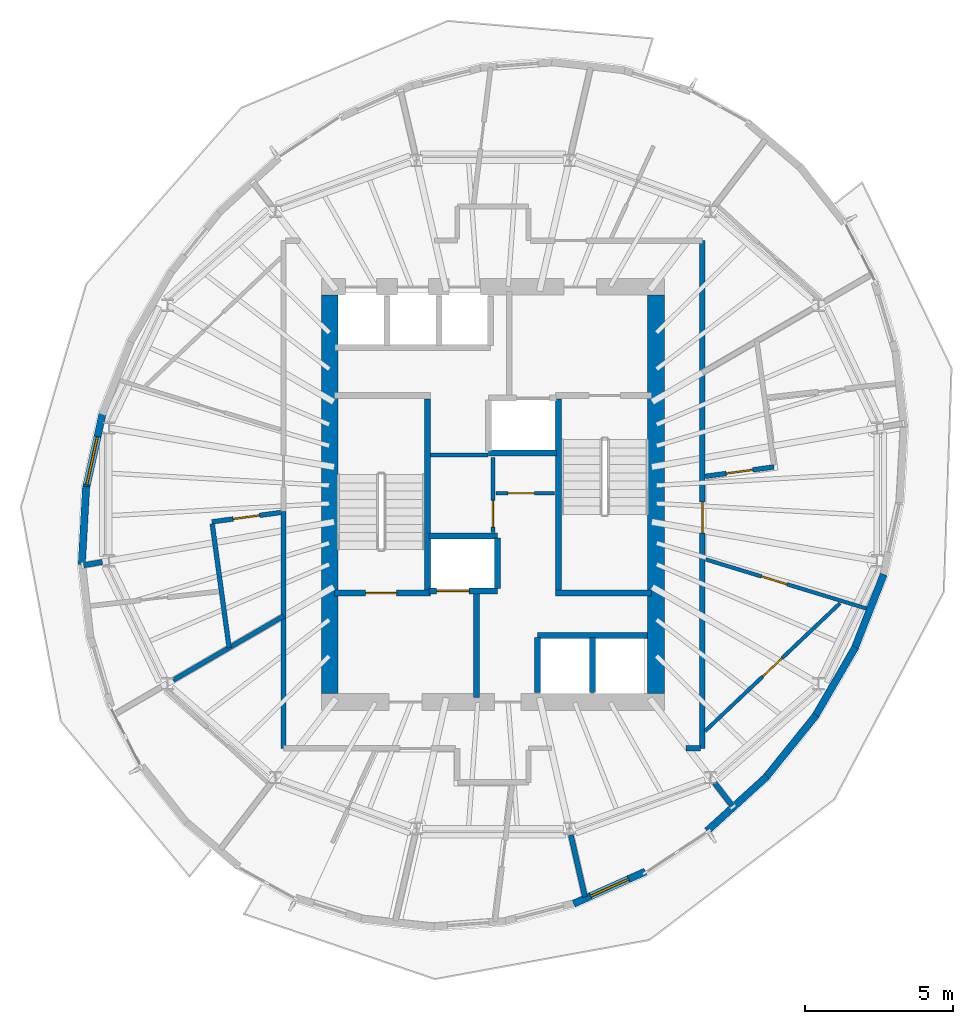
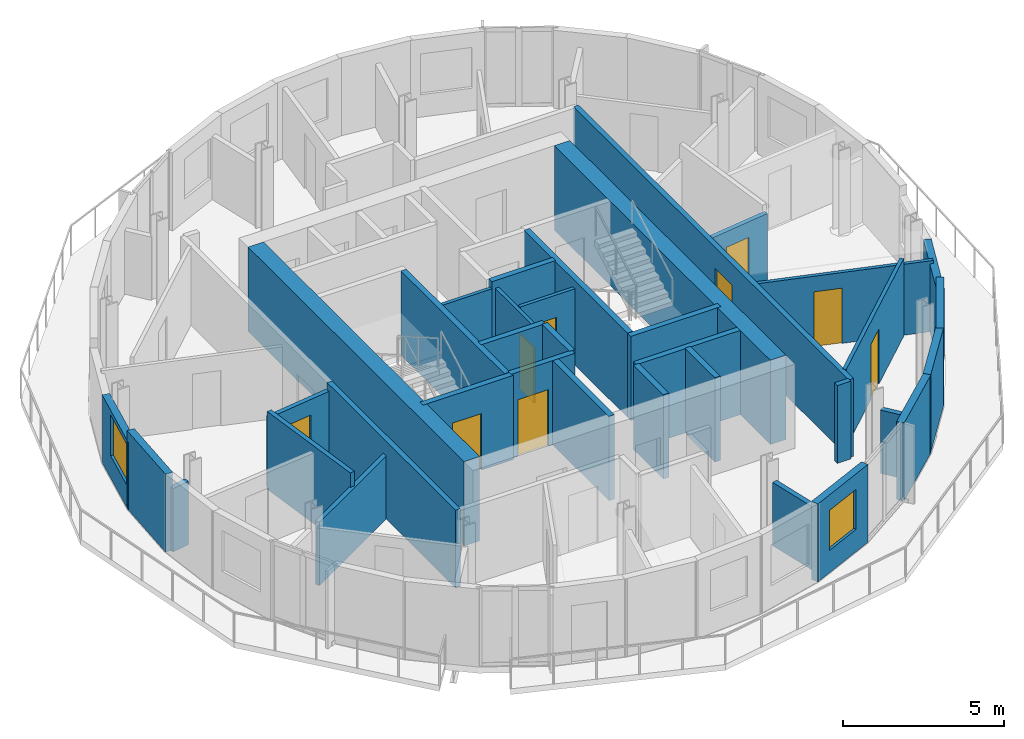
# One storey, part 5 of 11: 36 walls, 9 doors, 2 windows, 11 openings.
"""IFC4 building model written with IfcOpenShell, lengths in metres."""

from ifc_helpers import new_model, si_unit, direction, frame, frame_2d, origin, place, context, subcontext, project, spatial, rectangle, extrude, material, layer, layer_set, type_object, element, fill, save


model = new_model("IFC4")

# Units and contexts
model_context = context("Model", 3, precision=1e-05, world=origin(), true_north=direction((0.0, 1.0)))
body_context = subcontext(model_context, "Body", "Model", "MODEL_VIEW")
ifc_project = project(units=[si_unit("LENGTHUNIT", "METRE"), si_unit("AREAUNIT", "SQUARE_METRE"), si_unit("VOLUMEUNIT", "CUBIC_METRE"), si_unit("PLANEANGLEUNIT", "RADIAN"), si_unit("MASSUNIT", "GRAM", prefix="KILO")], contexts=[model_context])

# Site, building, storey
site_placement = place(None, origin())
site = spatial("IfcSite", under=ifc_project, at=site_placement, CompositionType="ELEMENT")
building_placement = place(site_placement, origin())
building = spatial("IfcBuilding", under=site, at=building_placement, Name="Veldorim Arch Residences", CompositionType="ELEMENT")
storey_placement = place(building_placement, frame((0.0, 0.0, 220.639892578125)))
storey = spatial("IfcBuildingStorey", under=building, at=storey_placement, Name="L66", CompositionType="ELEMENT", Elevation=220.639892578125)

# Wall, opening, door
ifc_material_1 = material(Name="Acoustic Gypsum Board", Category="gypsum")
ifc_layer_1 = layer(ifc_material_1, 0.125, Name="Acoustic Stud Room Partition Wall 125")
ifc_layer_set_1 = layer_set([ifc_layer_1], Name="Acoustic Gypsum Board")
wall_type_1 = type_object("IfcWallType", Name="Acoustic Stud Room Partition Wall 125", PredefinedType="PARTITIONING", material=ifc_layer_set_1)
wall_1_placement = place(storey_placement, frame((32.0, 22.719970703125, 0.0), z_axis=(0.0, 0.0, 1.0), x_axis=(0.0, 1.0, 0.0)))
wall_1 = element("IfcWall", 1, at=wall_1_placement, inside=storey, type_object=wall_type_1, Name="L66 interior wall WL-CA-L66-1", PredefinedType="PARTITIONING", context=body_context, shape_type="SweptSolid", body=[
    extrude(rectangle(XDim=2.52001953125, YDim=0.125, at=frame_2d((1.260009765625, 0.0))), origin(), (0.0, 0.0, 1.0), 2.955078125),
])
opening_1_placement = place(wall_1_placement, frame((0.179931640625, 0.0, 0.0)))
opening_1 = element("IfcOpeningElement", 2, at=opening_1_placement, cuts=wall_1, Name="Opening DR-SVC", PredefinedType="OPENING", context=body_context, shape_type="SweptSolid", body=[
    extrude(rectangle(XDim=0.89990234375, YDim=2.10009765625, at=frame_2d((0.449951171875, 1.050048828125))), frame((0.0, 0.072509765625, 0.0), z_axis=(0.0, -1.0, 0.0), x_axis=(1.0, 0.0, 0.0)), (0.0, 0.0, 1.0), 0.14501953125),
])
ifc_material_2 = material(Name="Fire-Rated Steel", Category="steel")
door_type_1 = type_object("IfcDoorType", Name="Riser, Shelter & Plant Room Rated Steel Door 900x2100", OperationType="SINGLE_SWING_LEFT", PredefinedType="DOOR", material=ifc_material_2)
door_1_placement = place(opening_1_placement, origin())
door_1 = element("IfcDoor", 3, at=door_1_placement, inside=storey, type_object=door_type_1, Name="L66 interior door DR-L66-CA2", OperationType="SINGLE_SWING_RIGHT", OverallHeight=2.10009765625, OverallWidth=0.89990234375, PredefinedType="DOOR", context=body_context, shape_type="SweptSolid", body=[
    extrude(rectangle(XDim=0.89990234375, YDim=2.10009765625, at=frame_2d((0.449951171875, 1.050048828125))), frame((0.0, 0.02490234375, 0.0), z_axis=(0.0, -1.0, 0.0), x_axis=(1.0, 0.0, 0.0)), (0.0, 0.0, 1.0), 0.050048828125),
])
fill(opening_1, door_1)

wall_2_placement = place(storey_placement, frame((32.110107421875, 24.0400390625, 0.0), z_axis=(0.0, 0.0, 1.0), x_axis=(1.0, 0.0, 0.0)))
wall_2 = element("IfcWall", 4, at=wall_2_placement, inside=storey, type_object=wall_type_1, Name="L66 interior wall WL-CA-L66-3", PredefinedType="PARTITIONING", context=body_context, shape_type="SweptSolid", body=[
    extrude(rectangle(XDim=1.969970703125, YDim=0.125, at=frame_2d((0.98486328125, 0.0))), origin(), (0.0, 0.0, 1.0), 2.955078125),
])
opening_2_placement = place(wall_2_placement, frame((0.389892578125, 0.0, 0.0)))
opening_2 = element("IfcOpeningElement", 5, at=opening_2_placement, cuts=wall_2, Name="Opening DR-INT", PredefinedType="OPENING", context=body_context, shape_type="SweptSolid", body=[
    extrude(rectangle(XDim=0.89990234375, YDim=2.10009765625, at=frame_2d((0.449951171875, 1.050048828125))), frame((0.0, 0.072509765625, 0.0), z_axis=(0.0, -1.0, 0.0), x_axis=(1.0, 0.0, 0.0)), (0.0, 0.0, 1.0), 0.14501953125),
])
ifc_material_3 = material(Name="Engineered Timber", Category="wood")
door_type_2 = type_object("IfcDoorType", Name="Apartment Internal Room Timber Door 900x2100", OperationType="SINGLE_SWING_LEFT", PredefinedType="DOOR", material=ifc_material_3)
door_2_placement = place(opening_2_placement, origin())
door_2 = element("IfcDoor", 6, at=door_2_placement, inside=storey, type_object=door_type_2, Name="L66 interior door DR-L66-CA1", OperationType="SINGLE_SWING_LEFT", OverallHeight=2.10009765625, OverallWidth=0.89990234375, PredefinedType="DOOR", context=body_context, shape_type="SweptSolid", body=[
    extrude(rectangle(XDim=0.89990234375, YDim=2.10009765625, at=frame_2d((0.449951171875, 1.050048828125))), frame((0.0, 0.02490234375, 0.0), z_axis=(0.0, -1.0, 0.0), x_axis=(1.0, 0.0, 0.0)), (0.0, 0.0, 1.0), 0.050048828125),
])
fill(opening_2, door_2)

# Wall
wall_3_placement = place(storey_placement, frame((29.889892578125, 25.330078125, 0.0), z_axis=(0.0, 0.0, 1.0), x_axis=(1.0, 0.0, 0.0)))
element("IfcWall", 7, at=wall_3_placement, inside=storey, type_object=wall_type_1, Name="L66 interior wall WL-CA-L66-N", PredefinedType="PARTITIONING", context=body_context, shape_type="SweptSolid", body=[
    extrude(rectangle(XDim=1.940185546875, YDim=0.125, at=frame_2d((0.97021484375, 0.0))), origin(), (0.0, 0.0, 1.0), 2.955078125),
])

# Wall, opening, door
wall_4_placement = place(storey_placement, frame((44.7001953125, 20.120849609375, 0.0), z_axis=(0.0, 0.0, 1.0), x_axis=(-0.956379122361, 0.29212835246, 0.0)))
wall_4 = element("IfcWall", 8, at=wall_4_placement, inside=storey, type_object=wall_type_1, Name="L66 interior wall WL-RES-L66-021", PredefinedType="PARTITIONING", context=body_context, shape_type="SweptSolid", body=[
    extrude(rectangle(XDim=5.77734375, YDim=0.125, at=frame_2d((2.888671875, 0.0))), origin(), (0.0, 0.0, 1.0), 2.692138671875),
])
opening_3_placement = place(wall_4_placement, frame((2.91015625, 0.0, 0.0)))
opening_3 = element("IfcOpeningElement", 9, at=opening_3_placement, cuts=wall_4, Name="Opening DR-INT", PredefinedType="OPENING", context=body_context, shape_type="SweptSolid", body=[
    extrude(rectangle(XDim=0.89990234375, YDim=2.10009765625, at=frame_2d((0.449951171875, 1.050048828125))), frame((0.0, 0.072509765625, 0.0), z_axis=(0.0, -1.0, 0.0), x_axis=(1.0, 0.0, 0.0)), (0.0, 0.0, 1.0), 0.14501953125),
])
door_3_placement = place(opening_3_placement, origin())
door_3 = element("IfcDoor", 10, at=door_3_placement, inside=storey, type_object=door_type_2, Name="L66 interior door DR-RES-L66-007", OperationType="SINGLE_SWING_LEFT", OverallHeight=2.10009765625, OverallWidth=0.89990234375, PredefinedType="DOOR", context=body_context, shape_type="SweptSolid", body=[
    extrude(rectangle(XDim=0.89990234375, YDim=2.10009765625, at=frame_2d((0.449951171875, 1.050048828125))), frame((0.0, 0.02490234375, 0.0), z_axis=(0.0, -1.0, 0.0), x_axis=(1.0, 0.0, 0.0)), (0.0, 0.0, 1.0), 0.050048828125),
])
fill(opening_3, door_3)

wall_5_placement = place(storey_placement, frame((43.70654296875, 20.33349609375, 0.0), z_axis=(0.0, 0.0, 1.0), x_axis=(-0.725799476315, -0.687906330965, 0.0)))
wall_5 = element("IfcWall", 11, at=wall_5_placement, inside=storey, type_object=wall_type_1, Name="L66 interior wall WL-RES-L66-025", PredefinedType="PARTITIONING", context=body_context, shape_type="SweptSolid", body=[
    extrude(rectangle(XDim=6.28173828125, YDim=0.125, at=frame_2d((3.140869140625, 0.0))), origin(), (0.0, 0.0, 1.0), 2.955078125),
])
opening_4_placement = place(wall_5_placement, frame((2.69091796875, 0.0, 0.0)))
opening_4 = element("IfcOpeningElement", 12, at=opening_4_placement, cuts=wall_5, Name="Opening DR-INT", PredefinedType="OPENING", context=body_context, shape_type="SweptSolid", body=[
    extrude(rectangle(XDim=0.89990234375, YDim=2.10009765625, at=frame_2d((0.449951171875, 1.050048828125))), frame((0.0, 0.072509765625, 0.0), z_axis=(0.0, -1.0, 0.0), x_axis=(1.0, 0.0, 0.0)), (0.0, 0.0, 1.0), 0.14501953125),
])
door_4_placement = place(opening_4_placement, origin())
door_4 = element("IfcDoor", 13, at=door_4_placement, inside=storey, type_object=door_type_2, Name="L66 interior door DR-RES-L66-008", OperationType="SINGLE_SWING_RIGHT", OverallHeight=2.10009765625, OverallWidth=0.89990234375, PredefinedType="DOOR", context=body_context, shape_type="SweptSolid", body=[
    extrude(rectangle(XDim=0.89990234375, YDim=2.10009765625, at=frame_2d((0.449951171875, 1.050048828125))), frame((0.0, 0.02490234375, 0.0), z_axis=(0.0, -1.0, 0.0), x_axis=(1.0, 0.0, 0.0)), (0.0, 0.0, 1.0), 0.050048828125),
])
fill(opening_4, door_4)

# Walls
ifc_material_4 = material(Name="Lightweight Masonry Block & Gypsum", Category="masonry")
ifc_layer_2 = layer(ifc_material_4, 0.179931640625, Name="Compartment & Corridor Fire-Rated Party Wall 180")
ifc_layer_set_2 = layer_set([ifc_layer_2], Name="Lightweight Masonry Block & Gypsum")
wall_type_2 = type_object("IfcWallType", Name="Compartment & Corridor Fire-Rated Party Wall 180", PredefinedType="PARTITIONING", material=ifc_layer_set_2)
wall_6_placement = place(storey_placement, frame((18.827392578125, 21.72119140625, 0.0), z_axis=(0.0, 0.0, 1.0), x_axis=(-0.985371537423, -0.170419873359, 0.0)))
element("IfcWall", 14, at=wall_6_placement, inside=storey, type_object=wall_type_2, Name="L66 interior wall WL-PIER-L66-09", PredefinedType="PARTITIONING", context=body_context, shape_type="SweptSolid", body=[
    extrude(rectangle(XDim=0.637451171875, YDim=0.179931640625, at=frame_2d((0.31884765625, 0.0))), origin(), (0.0, 0.0, 1.0), 2.403564453125),
])
wall_7_placement = place(storey_placement, frame((34.62646484375, 12.516845703125, 0.0), z_axis=(0.0, 0.0, 1.0), x_axis=(0.222945438732, -0.974830924493, 0.0)))
element("IfcWall", 15, at=wall_7_placement, inside=storey, type_object=wall_type_2, Name="L66 interior wall WL-PIER-L66-13", PredefinedType="PARTITIONING", context=body_context, shape_type="SweptSolid", body=[
    extrude(rectangle(XDim=2.14306640625, YDim=0.179931640625, at=frame_2d((1.071533203125, 0.0))), origin(), (0.0, 0.0, 1.0), 2.403564453125),
])
wall_8_placement = place(storey_placement, frame((39.473388671875, 14.272705078125, 0.0), z_axis=(0.0, 0.0, 1.0), x_axis=(0.60918017505, -0.793031849503, 0.0)))
element("IfcWall", 16, at=wall_8_placement, inside=storey, type_object=wall_type_2, Name="L66 interior wall WL-PIER-L66-14", PredefinedType="PARTITIONING", context=body_context, shape_type="SweptSolid", body=[
    extrude(rectangle(XDim=0.978759765625, YDim=0.179931640625, at=frame_2d((0.4892578125, 0.0))), origin(), (0.0, 0.0, 1.0), 2.403564453125),
])
wall_9_placement = place(storey_placement, frame((24.93994140625, 15.43994140625, 0.0), z_axis=(0.0, 0.0, 1.0), x_axis=(0.0, 1.0, 0.0)))
element("IfcWall", 17, at=wall_9_placement, inside=storey, type_object=wall_type_2, Name="L66 interior wall WL-RES-L66-006", PredefinedType="PARTITIONING", context=body_context, shape_type="SweptSolid", body=[
    extrude(rectangle(XDim=7.981689453125, YDim=0.179931640625, at=frame_2d((3.99072265625, 0.0))), origin(), (0.0, 0.0, 1.0), 2.955078125),
])

# Wall, opening, door
wall_10_placement = place(storey_placement, frame((39.06005859375, 32.56005859375, 0.0), z_axis=(0.0, 0.0, 1.0), x_axis=(0.0, -1.0, 0.0)))
wall_10 = element("IfcWall", 18, at=wall_10_placement, inside=storey, type_object=wall_type_2, Name="L66 interior wall WL-RES-L66-007", PredefinedType="PARTITIONING", context=body_context, shape_type="SweptSolid", body=[
    extrude(rectangle(XDim=17.1201171875, YDim=0.179931640625, at=frame_2d((8.56005859375, 0.0))), origin(), (0.0, 0.0, 1.0), 2.955078125),
])
opening_5_placement = place(wall_10_placement, frame((8.8154296875, 0.0, 0.0)))
opening_5 = element("IfcOpeningElement", 19, at=opening_5_placement, cuts=wall_10, Name="Opening DR-FLT", PredefinedType="OPENING", context=body_context, shape_type="SweptSolid", body=[
    extrude(rectangle(XDim=1.050048828125, YDim=2.14990234375, at=frame_2d((0.52490234375, 1.074951171875))), frame((0.0, 0.099853515625, 0.0), z_axis=(0.0, -1.0, 0.0), x_axis=(1.0, 0.0, 0.0)), (0.0, 0.0, 1.0), 0.199951171875),
])
ifc_material_5 = material(Name="Fire-Rated Timber", Category="wood")
door_type_3 = type_object("IfcDoorType", Name="Apartment Entrance Solid-Core Fire Door 1050x2150", OperationType="SINGLE_SWING_LEFT", PredefinedType="DOOR", material=ifc_material_5)
door_5_placement = place(opening_5_placement, origin())
door_5 = element("IfcDoor", 20, at=door_5_placement, inside=storey, type_object=door_type_3, Name="L66 interior door DR-RES-L66-005", OperationType="SINGLE_SWING_LEFT", OverallHeight=2.14990234375, OverallWidth=1.050048828125, PredefinedType="DOOR", context=body_context, shape_type="SweptSolid", body=[
    extrude(rectangle(XDim=1.050048828125, YDim=2.14990234375, at=frame_2d((0.52490234375, 1.074951171875))), frame((0.0, 0.02490234375, 0.0), z_axis=(0.0, -1.0, 0.0), x_axis=(1.0, 0.0, 0.0)), (0.0, 0.0, 1.0), 0.050048828125),
])
fill(opening_5, door_5)

# Walls
wall_11_placement = place(storey_placement, frame((39.0, 15.43994140625, 0.0), z_axis=(0.0, 0.0, 1.0), x_axis=(-1.0, 0.0, 0.0)))
element("IfcWall", 21, at=wall_11_placement, inside=storey, type_object=wall_type_2, Name="L66 interior wall WL-RES-L66-008", PredefinedType="PARTITIONING", context=body_context, shape_type="SweptSolid", body=[
    extrude(rectangle(XDim=0.485595703125, YDim=0.179931640625, at=frame_2d((0.24267578125, 0.0))), origin(), (0.0, 0.0, 1.0), 2.955078125),
])
ifc_material_6 = material(Name="Concrete C50/60", Category="concrete")
ifc_layer_3 = layer(ifc_material_6, 0.199951171875, Name="Core Stair & Lift Shaft Enclosure Wall 200")
ifc_layer_set_3 = layer_set([ifc_layer_3], Name="Concrete C50/60")
wall_type_3 = type_object("IfcWallType", Name="Core Stair & Lift Shaft Enclosure Wall 200", PredefinedType="SHEAR", material=ifc_layer_set_3)
wall_12_placement = place(storey_placement, frame((29.7900390625, 20.780029296875, 0.0), z_axis=(0.0, 0.0, 1.0), x_axis=(0.0, 1.0, 0.0)))
element("IfcWall", 22, at=wall_12_placement, inside=storey, type_object=wall_type_3, Name="L66 shaft wall WL-SHF-L66-ST1-E", PredefinedType="SHEAR", context=body_context, shape_type="SweptSolid", body=[
    extrude(rectangle(XDim=6.43994140625, YDim=0.199951171875, at=frame_2d((3.219970703125, 0.0))), origin(), (0.0, 0.0, 1.0), 3.2001953125),
])

# Wall, opening, door
wall_13_placement = place(storey_placement, frame((26.64990234375, 20.669921875, 0.0), z_axis=(0.0, 0.0, 1.0), x_axis=(1.0, 0.0, 0.0)))
wall_13 = element("IfcWall", 23, at=wall_13_placement, inside=storey, type_object=wall_type_3, Name="L66 shaft wall WL-SHF-L66-ST1-S", PredefinedType="SHEAR", context=body_context, shape_type="SweptSolid", body=[
    extrude(rectangle(XDim=3.239990234375, YDim=0.199951171875, at=frame_2d((1.6201171875, 0.0))), origin(), (0.0, 0.0, 1.0), 3.2001953125),
])
opening_6_placement = place(wall_13_placement, frame((1.054931640625, 0.0, 0.0)))
opening_6 = element("IfcOpeningElement", 24, at=opening_6_placement, cuts=wall_13, Name="Opening DR-ST", PredefinedType="OPENING", context=body_context, shape_type="SweptSolid", body=[
    extrude(rectangle(XDim=1.050048828125, YDim=2.14990234375, at=frame_2d((0.52490234375, 1.074951171875))), frame((0.0, 0.10986328125, 0.0), z_axis=(0.0, -1.0, 0.0), x_axis=(1.0, 0.0, 0.0)), (0.0, 0.0, 1.0), 0.219970703125),
])
ifc_material_7 = material(Name="Fire-Rated Steel", Category="steel")
door_type_4 = type_object("IfcDoorType", Name="Exit Staircase Self-Closing Fire Door 1050x2150", OperationType="SINGLE_SWING_LEFT", PredefinedType="DOOR", material=ifc_material_7)
door_6_placement = place(opening_6_placement, origin())
door_6 = element("IfcDoor", 25, at=door_6_placement, inside=storey, type_object=door_type_4, Name="L66 interior door DR-L66-ST1", OperationType="SINGLE_SWING_LEFT", OverallHeight=2.14990234375, OverallWidth=1.050048828125, PredefinedType="DOOR", context=body_context, shape_type="SweptSolid", body=[
    extrude(rectangle(XDim=1.050048828125, YDim=2.14990234375, at=frame_2d((0.52490234375, 1.074951171875))), frame((0.0, 0.02490234375, 0.0), z_axis=(0.0, -1.0, 0.0), x_axis=(1.0, 0.0, 0.0)), (0.0, 0.0, 1.0), 0.050048828125),
])
fill(opening_6, door_6)

# Walls
wall_14_placement = place(storey_placement, frame((34.2099609375, 20.780029296875, 0.0), z_axis=(0.0, 0.0, 1.0), x_axis=(0.0, 1.0, 0.0)))
element("IfcWall", 26, at=wall_14_placement, inside=storey, type_object=wall_type_3, Name="L66 shaft wall WL-SHF-L66-ST2-W", PredefinedType="SHEAR", context=body_context, shape_type="SweptSolid", body=[
    extrude(rectangle(XDim=6.43994140625, YDim=0.199951171875, at=frame_2d((3.219970703125, 0.0))), origin(), (0.0, 0.0, 1.0), 3.2001953125),
])
wall_15_placement = place(storey_placement, frame((34.110107421875, 20.669921875, 0.0), z_axis=(0.0, 0.0, 1.0), x_axis=(1.0, 0.0, 0.0)))
element("IfcWall", 27, at=wall_15_placement, inside=storey, type_object=wall_type_3, Name="L66 shaft wall WL-SHF-L66-ST2-S", PredefinedType="SHEAR", context=body_context, shape_type="SweptSolid", body=[
    extrude(rectangle(XDim=3.239990234375, YDim=0.199951171875, at=frame_2d((1.6201171875, 0.0))), origin(), (0.0, 0.0, 1.0), 3.2001953125),
])
wall_16_placement = place(storey_placement, frame((31.449951171875, 17.14990234375, 0.0), z_axis=(0.0, 0.0, 1.0), x_axis=(0.0, 1.0, 0.0)))
element("IfcWall", 28, at=wall_16_placement, inside=storey, type_object=wall_type_3, Name="L66 shaft wall WL-FFL1-L66-E", PredefinedType="SHEAR", context=body_context, shape_type="SweptSolid", body=[
    extrude(rectangle(XDim=3.5, YDim=0.199951171875, at=frame_2d((1.75, 0.0))), origin(), (0.0, 0.0, 1.0), 3.2001953125),
])

# Wall, opening, door
wall_17_placement = place(storey_placement, frame((29.85009765625, 20.75, 0.0), z_axis=(0.0, 0.0, 1.0), x_axis=(1.0, 0.0, 0.0)))
wall_17 = element("IfcWall", 29, at=wall_17_placement, inside=storey, type_object=wall_type_3, Name="L66 shaft wall WL-FL01-L66-S", PredefinedType="SHEAR", context=body_context, shape_type="SweptSolid", body=[
    extrude(rectangle(XDim=2.2998046875, YDim=0.199951171875, at=frame_2d((1.14990234375, 0.0))), origin(), (0.0, 0.0, 1.0), 3.2001953125),
])
opening_7_placement = place(wall_17_placement, frame((0.25, 0.0, 0.0)))
opening_7 = element("IfcOpeningElement", 30, at=opening_7_placement, cuts=wall_17, Name="Opening LD-FF", PredefinedType="OPENING", context=body_context, shape_type="SweptSolid", body=[
    extrude(rectangle(XDim=1.10009765625, YDim=2.14990234375, at=frame_2d((0.550048828125, 1.074951171875))), frame((0.0, 0.10986328125, 0.0), z_axis=(0.0, -1.0, 0.0), x_axis=(1.0, 0.0, 0.0)), (0.0, 0.0, 1.0), 0.219970703125),
])
ifc_material_8 = material(Name="Stainless Steel", Category="steel")
door_type_5 = type_object("IfcDoorType", Name="Firefighting Lift Bi-Parting Sliding Landing Door 1100x2150", OperationType="DOUBLE_DOOR_SLIDING", PredefinedType="DOOR", material=ifc_material_8)
door_7_placement = place(opening_7_placement, origin())
door_7 = element("IfcDoor", 31, at=door_7_placement, inside=storey, type_object=door_type_5, Name="L66 lift landing door LD-L66-FL01", OperationType="DOUBLE_DOOR_SLIDING", OverallHeight=2.14990234375, OverallWidth=1.10009765625, PredefinedType="DOOR", context=body_context, shape_type="SweptSolid", body=[
    extrude(rectangle(XDim=1.10009765625, YDim=2.14990234375, at=frame_2d((0.550048828125, 1.074951171875))), frame((0.0, 0.02490234375, 0.0), z_axis=(0.0, -1.0, 0.0), x_axis=(1.0, 0.0, 0.0)), (0.0, 0.0, 1.0), 0.050048828125),
])
fill(opening_7, door_7)

# Walls
wall_18_placement = place(storey_placement, frame((29.85009765625, 22.60009765625, 0.0), z_axis=(0.0, 0.0, 1.0), x_axis=(1.0, 0.0, 0.0)))
element("IfcWall", 32, at=wall_18_placement, inside=storey, type_object=wall_type_3, Name="L66 shaft wall WL-FL01-L66-N", PredefinedType="SHEAR", context=body_context, shape_type="SweptSolid", body=[
    extrude(rectangle(XDim=2.2998046875, YDim=0.199951171875, at=frame_2d((1.14990234375, 0.0))), origin(), (0.0, 0.0, 1.0), 3.2001953125),
])
wall_19_placement = place(storey_placement, frame((32.14990234375, 20.820068359375, 0.0), z_axis=(0.0, 0.0, 1.0), x_axis=(0.0, 1.0, 0.0)))
element("IfcWall", 33, at=wall_19_placement, inside=storey, type_object=wall_type_3, Name="L66 shaft wall WL-FL01-L66-E", PredefinedType="SHEAR", context=body_context, shape_type="SweptSolid", body=[
    extrude(rectangle(XDim=1.7099609375, YDim=0.199951171875, at=frame_2d((0.85498046875, 0.0))), origin(), (0.0, 0.0, 1.0), 3.2001953125),
])
wall_20_placement = place(storey_placement, frame((31.85009765625, 25.39990234375, 0.0), z_axis=(0.0, 0.0, 1.0), x_axis=(1.0, 0.0, 0.0)))
element("IfcWall", 34, at=wall_20_placement, inside=storey, type_object=wall_type_3, Name="L66 shaft wall WL-FL02-L66-S", PredefinedType="SHEAR", context=body_context, shape_type="SweptSolid", body=[
    extrude(rectangle(XDim=2.2998046875, YDim=0.199951171875, at=frame_2d((1.14990234375, 0.0))), origin(), (0.0, 0.0, 1.0), 3.2001953125),
])
wall_21_placement = place(storey_placement, frame((33.5, 19.25, 0.0), z_axis=(0.0, 0.0, 1.0), x_axis=(1.0, 0.0, 0.0)))
element("IfcWall", 35, at=wall_21_placement, inside=storey, type_object=wall_type_3, Name="L66 shaft wall WL-OL-L66-N", PredefinedType="SHEAR", context=body_context, shape_type="SweptSolid", body=[
    extrude(rectangle(XDim=3.719970703125, YDim=0.199951171875, at=frame_2d((1.85986328125, 0.0))), origin(), (0.0, 0.0, 1.0), 3.2001953125),
])
for number, where, z_axis, x_axis, name in (
    (36, (33.5, 17.320068359375, 0.0), (0.0, 0.0, 1.0), (0.0, 1.0, 0.0), "L66 shaft wall WL-OL-L66-W"),
    (37, (35.35009765625, 17.320068359375, 0.0), (0.0, 0.0, 1.0), (0.0, 1.0, 0.0), "L66 shaft wall WL-OL-L66-D1"),
):
    element("IfcWall", number, at=place(storey_placement, frame(where, z_axis=z_axis, x_axis=x_axis)), inside=storey, type_object=wall_type_3, Name=name, PredefinedType="SHEAR", context=body_context, shape_type="SweptSolid", body=[
        extrude(rectangle(XDim=1.85986328125, YDim=0.199951171875, at=frame_2d((0.929931640625, 0.0))), origin(), (0.0, 0.0, 1.0), 3.2001953125),
    ])

# Wall, opening, window
ifc_material_9 = material(Name="Precast concrete C40/50", Category="concrete")
ifc_layer_4 = layer(ifc_material_9, 0.25, Name="Tower Terracotta Spandrel & Pier Wall 250")
ifc_layer_set_4 = layer_set([ifc_layer_4], Name="Precast concrete C40/50")
wall_type_4 = type_object("IfcWallType", Name="Tower Terracotta Spandrel & Pier Wall 250", PredefinedType="SOLIDWALL", material=ifc_layer_set_4)
wall_22_placement = place(storey_placement, frame((18.26708984375, 24.164306640625, 0.0), z_axis=(0.0, 0.0, 1.0), x_axis=(0.21633718885, 0.976318708579, 0.0)))
wall_22 = element("IfcWall", 38, at=wall_22_placement, inside=storey, type_object=wall_type_4, Name="L66 terracotta facade wall 12", PredefinedType="SOLIDWALL", context=body_context, shape_type="SweptSolid", body=[
    extrude(rectangle(XDim=2.70166015625, YDim=0.25, at=frame_2d((1.350830078125, 0.0))), origin(), (0.0, 0.0, 1.0), 2.5771484375),
])
opening_8_placement = place(wall_22_placement, frame((0.175048828125, 0.0, 0.85009765625)))
opening_8 = element("IfcOpeningElement", 39, at=opening_8_placement, cuts=wall_22, Name="Opening WN-03", PredefinedType="OPENING", context=body_context, shape_type="SweptSolid", body=[
    extrude(rectangle(XDim=1.64990234375, YDim=1.550048828125, at=frame_2d((0.824951171875, 0.77490234375))), frame((0.0, 0.135009765625, 0.0), z_axis=(0.0, -1.0, 0.0), x_axis=(1.0, 0.0, 0.0)), (0.0, 0.0, 1.0), 0.27001953125),
])
ifc_material_10 = material(Name="Laminated Low-E Glass", Category="glass")
window_type_1 = type_object("IfcWindowType", Name="Residential Wide Window 1650x1550", PartitioningType="SINGLE_PANEL", PredefinedType="WINDOW", material=ifc_material_10)
window_1_placement = place(opening_8_placement, origin())
window_1 = element("IfcWindow", 40, at=window_1_placement, inside=storey, type_object=window_type_1, Name="L66 solar-control facade window 12", OverallHeight=1.550048828125, OverallWidth=1.64990234375, PartitioningType="SINGLE_PANEL", PredefinedType="WINDOW", context=body_context, shape_type="SweptSolid", body=[
    extrude(rectangle(XDim=1.64990234375, YDim=1.550048828125, at=frame_2d((0.824951171875, 0.77490234375))), frame((0.0, 0.030029296875, 0.0), z_axis=(0.0, -1.0, 0.0), x_axis=(1.0, 0.0, 0.0)), (0.0, 0.0, 1.0), 0.06005859375),
])
fill(opening_8, window_1)

# Wall
wall_23_placement = place(storey_placement, frame((18.133056640625, 21.62646484375, 0.0), z_axis=(0.0, 0.0, 1.0), x_axis=(0.056270814174, 0.998415542483, 0.0)))
element("IfcWall", 41, at=wall_23_placement, inside=storey, type_object=wall_type_4, Name="L66 terracotta facade wall 13", PredefinedType="SOLIDWALL", context=body_context, shape_type="SweptSolid", body=[
    extrude(rectangle(XDim=2.65087890625, YDim=0.25, at=frame_2d((1.325439453125, 0.0))), origin(), (0.0, 0.0, 1.0), 2.960205078125),
])

# Wall, opening, window
wall_24_placement = place(storey_placement, frame((37.14453125, 11.280517578125, 0.0), z_axis=(0.0, 0.0, 1.0), x_axis=(-0.912779399898, -0.408452894617, 0.0)))
wall_24 = element("IfcWall", 42, at=wall_24_placement, inside=storey, type_object=wall_type_4, Name="L66 terracotta facade wall 24", PredefinedType="SOLIDWALL", context=body_context, shape_type="SweptSolid", body=[
    extrude(rectangle(XDim=2.65087890625, YDim=0.25, at=frame_2d((1.325439453125, 0.0))), origin(), (0.0, 0.0, 1.0), 2.960205078125),
])
opening_9_placement = place(wall_24_placement, frame((0.625, 0.0, 0.85009765625)))
opening_9 = element("IfcOpeningElement", 43, at=opening_9_placement, cuts=wall_24, Name="Opening WN-02", PredefinedType="OPENING", context=body_context, shape_type="SweptSolid", body=[
    extrude(rectangle(XDim=1.39990234375, YDim=1.52001953125, at=frame_2d((0.699951171875, 0.760009765625))), frame((0.0, 0.135009765625, 0.0), z_axis=(0.0, -1.0, 0.0), x_axis=(1.0, 0.0, 0.0)), (0.0, 0.0, 1.0), 0.27001953125),
])
ifc_material_11 = material(Name="Laminated Low-E Glass", Category="glass")
window_type_2 = type_object("IfcWindowType", Name="Residential Casement Window 1400x1550", PartitioningType="SINGLE_PANEL", PredefinedType="WINDOW", material=ifc_material_11)
window_2_placement = place(opening_9_placement, origin())
window_2 = element("IfcWindow", 44, at=window_2_placement, inside=storey, type_object=window_type_2, Name="L66 solar-control facade window 24", OverallHeight=1.52001953125, OverallWidth=1.39990234375, PartitioningType="SINGLE_PANEL", PredefinedType="WINDOW", context=body_context, shape_type="SweptSolid", body=[
    extrude(rectangle(XDim=1.39990234375, YDim=1.52001953125, at=frame_2d((0.699951171875, 0.760009765625))), frame((0.0, 0.030029296875, 0.0), z_axis=(0.0, -1.0, 0.0), x_axis=(1.0, 0.0, 0.0)), (0.0, 0.0, 1.0), 0.06005859375),
])
fill(opening_9, window_2)

# Walls
wall_25_placement = place(storey_placement, frame((41.242919921875, 14.490478515625, 0.0), z_axis=(0.0, 0.0, 1.0), x_axis=(-0.739366950434, -0.673302690182, 0.0)))
element("IfcWall", 45, at=wall_25_placement, inside=storey, type_object=wall_type_4, Name="L66 terracotta facade wall 26", PredefinedType="SOLIDWALL", context=body_context, shape_type="SweptSolid", body=[
    extrude(rectangle(XDim=2.73828125, YDim=0.25, at=frame_2d((1.369140625, 0.0))), origin(), (0.0, 0.0, 1.0), 2.960205078125),
])
wall_26_placement = place(storey_placement, frame((42.900390625, 16.5576171875, 0.0), z_axis=(0.0, 0.0, 1.0), x_axis=(-0.628046541479, -0.778175778174, 0.0)))
element("IfcWall", 46, at=wall_26_placement, inside=storey, type_object=wall_type_4, Name="L66 terracotta facade wall 27", PredefinedType="SOLIDWALL", context=body_context, shape_type="SweptSolid", body=[
    extrude(rectangle(XDim=2.758056640625, YDim=0.25, at=frame_2d((1.37890625, 0.0))), origin(), (0.0, 0.0, 1.0), 2.960205078125),
])
wall_27_placement = place(storey_placement, frame((44.2265625, 18.851318359375, 0.0), z_axis=(0.0, 0.0, 1.0), x_axis=(-0.503177339128, -0.864183178144, 0.0)))
element("IfcWall", 47, at=wall_27_placement, inside=storey, type_object=wall_type_4, Name="L66 terracotta facade wall 28", PredefinedType="SOLIDWALL", context=body_context, shape_type="SweptSolid", body=[
    extrude(rectangle(XDim=2.7578125, YDim=0.25, at=frame_2d((1.37890625, 0.0))), origin(), (0.0, 0.0, 1.0), 2.960205078125),
])
wall_28_placement = place(storey_placement, frame((45.180419921875, 21.302490234375, 0.0), z_axis=(0.0, 0.0, 1.0), x_axis=(-0.365588934877, -0.930776412838, 0.0)))
element("IfcWall", 48, at=wall_28_placement, inside=storey, type_object=wall_type_4, Name="L66 terracotta facade wall 29", PredefinedType="SOLIDWALL", context=body_context, shape_type="SweptSolid", body=[
    extrude(rectangle(XDim=2.73876953125, YDim=0.25, at=frame_2d((1.369384765625, 0.0))), origin(), (0.0, 0.0, 1.0), 2.5771484375),
])
ifc_material_12 = material(Name="Concrete C50/60", Category="concrete")
ifc_layer_5 = layer(ifc_material_12, 0.5, Name="Upper Central Core Shear Wall 560")
ifc_layer_set_5 = layer_set([ifc_layer_5], Name="Concrete C50/60")
wall_type_5 = type_object("IfcWallType", Name="Upper Central Core Shear Wall 560", PredefinedType="SHEAR", material=ifc_layer_set_5)
for number, where, z_axis, x_axis, name in (
    (49, (26.5, 17.280029296875, 0.0), (0.0, 0.0, 1.0), (0.0, 1.0, 0.0), "L66 central core west shear wall"),
    (50, (37.5, 17.280029296875, 0.0), (0.0, 0.0, 1.0), (0.0, 1.0, 0.0), "L66 central core east shear wall"),
):
    element("IfcWall", number, at=place(storey_placement, frame(where, z_axis=z_axis, x_axis=x_axis)), inside=storey, type_object=wall_type_5, Name=name, PredefinedType="SHEAR", context=body_context, shape_type="SweptSolid", body=[
        extrude(rectangle(XDim=13.43994140625, YDim=0.56005859375, at=frame_2d((6.719970703125, 0.0))), origin(), (0.0, 0.0, 1.0), 3.2001953125),
    ])
ifc_material_13 = material(Name="Moisture-Resistant Gypsum & Stud", Category="gypsum")
ifc_layer_6 = layer(ifc_material_13, 0.159912109375, Name="Wet-Area Moisture-Resistant Plumbing Wall 160")
ifc_layer_set_6 = layer_set([ifc_layer_6], Name="Moisture-Resistant Gypsum & Stud")
wall_type_6 = type_object("IfcWallType", Name="Wet-Area Moisture-Resistant Plumbing Wall 160", PredefinedType="PLUMBINGWALL", material=ifc_layer_set_6)
wall_29_placement = place(storey_placement, frame((21.217529296875, 17.734375, 0.0), z_axis=(0.0, 0.0, 1.0), x_axis=(0.864618907014, 0.502428249239, 0.0)))
element("IfcWall", 51, at=wall_29_placement, inside=storey, type_object=wall_type_6, Name="L66 interior wall WL-RES-L66-019", PredefinedType="PLUMBINGWALL", context=body_context, shape_type="SweptSolid", body=[
    extrude(rectangle(XDim=4.30517578125, YDim=0.159912109375, at=frame_2d((2.152587890625, 0.0))), origin(), (0.0, 0.0, 1.0), 2.403564453125),
])

# Wall, opening, door
wall_30_placement = place(storey_placement, frame((39.1591796875, 24.60986328125, 0.0), z_axis=(0.0, 0.0, 1.0), x_axis=(0.990823810893, 0.135159815654, 0.0)))
wall_30 = element("IfcWall", 52, at=wall_30_placement, inside=storey, type_object=wall_type_6, Name="L66 interior wall WL-RES-L66-022", PredefinedType="PLUMBINGWALL", context=body_context, shape_type="SweptSolid", body=[
    extrude(rectangle(XDim=2.33740234375, YDim=0.159912109375, at=frame_2d((1.168701171875, 0.0))), origin(), (0.0, 0.0, 1.0), 2.692138671875),
])
opening_10_placement = place(wall_30_placement, frame((0.71875, 0.0, 0.0)))
opening_10 = element("IfcOpeningElement", 53, at=opening_10_placement, cuts=wall_30, Name="Opening DR-INT", PredefinedType="OPENING", context=body_context, shape_type="SweptSolid", body=[
    extrude(rectangle(XDim=0.89990234375, YDim=2.10009765625, at=frame_2d((0.449951171875, 1.050048828125))), frame((0.0, 0.08984375, 0.0), z_axis=(0.0, -1.0, 0.0), x_axis=(1.0, 0.0, 0.0)), (0.0, 0.0, 1.0), 0.179931640625),
])
door_8_placement = place(opening_10_placement, origin())
door_8 = element("IfcDoor", 54, at=door_8_placement, inside=storey, type_object=door_type_2, Name="L66 interior door DR-RES-L66-009", OperationType="SINGLE_SWING_LEFT", OverallHeight=2.10009765625, OverallWidth=0.89990234375, PredefinedType="DOOR", context=body_context, shape_type="SweptSolid", body=[
    extrude(rectangle(XDim=0.89990234375, YDim=2.10009765625, at=frame_2d((0.449951171875, 1.050048828125))), frame((0.0, 0.02490234375, 0.0), z_axis=(0.0, -1.0, 0.0), x_axis=(1.0, 0.0, 0.0)), (0.0, 0.0, 1.0), 0.050048828125),
])
fill(opening_10, door_8)

wall_31_placement = place(storey_placement, frame((24.8408203125, 23.39013671875, 0.0), z_axis=(0.0, 0.0, 1.0), x_axis=(-0.990823810893, -0.135159815654, 0.0)))
wall_31 = element("IfcWall", 55, at=wall_31_placement, inside=storey, type_object=wall_type_6, Name="L66 interior wall WL-RES-L66-031", PredefinedType="PLUMBINGWALL", context=body_context, shape_type="SweptSolid", body=[
    extrude(rectangle(XDim=2.33740234375, YDim=0.159912109375, at=frame_2d((1.168701171875, 0.0))), origin(), (0.0, 0.0, 1.0), 2.692138671875),
])
opening_11_placement = place(wall_31_placement, frame((0.71875, 0.0, 0.0)))
opening_11 = element("IfcOpeningElement", 56, at=opening_11_placement, cuts=wall_31, Name="Opening DR-INT", PredefinedType="OPENING", context=body_context, shape_type="SweptSolid", body=[
    extrude(rectangle(XDim=0.89990234375, YDim=2.10009765625, at=frame_2d((0.449951171875, 1.050048828125))), frame((0.0, 0.08984375, 0.0), z_axis=(0.0, -1.0, 0.0), x_axis=(1.0, 0.0, 0.0)), (0.0, 0.0, 1.0), 0.179931640625),
])
door_9_placement = place(opening_11_placement, origin())
door_9 = element("IfcDoor", 57, at=door_9_placement, inside=storey, type_object=door_type_2, Name="L66 interior door DR-RES-L66-018", OperationType="SINGLE_SWING_RIGHT", OverallHeight=2.10009765625, OverallWidth=0.89990234375, PredefinedType="DOOR", context=body_context, shape_type="SweptSolid", body=[
    extrude(rectangle(XDim=0.89990234375, YDim=2.10009765625, at=frame_2d((0.449951171875, 1.050048828125))), frame((0.0, 0.02490234375, 0.0), z_axis=(0.0, -1.0, 0.0), x_axis=(1.0, 0.0, 0.0)), (0.0, 0.0, 1.0), 0.050048828125),
])
fill(opening_11, door_9)

# Wall
wall_32_placement = place(storey_placement, frame((22.532958984375, 23.0146484375, 0.0), z_axis=(0.0, 0.0, 1.0), x_axis=(0.135218975067, -0.990815739066, 0.0)))
element("IfcWall", 58, at=wall_32_placement, inside=storey, type_object=wall_type_6, Name="L66 interior wall WL-RES-L66-032", PredefinedType="PLUMBINGWALL", context=body_context, shape_type="SweptSolid", body=[
    extrude(rectangle(XDim=4.22314453125, YDim=0.159912109375, at=frame_2d((2.111572265625, 0.0))), origin(), (0.0, 0.0, 1.0), 2.955078125),
])

save(model, "model.ifc")
